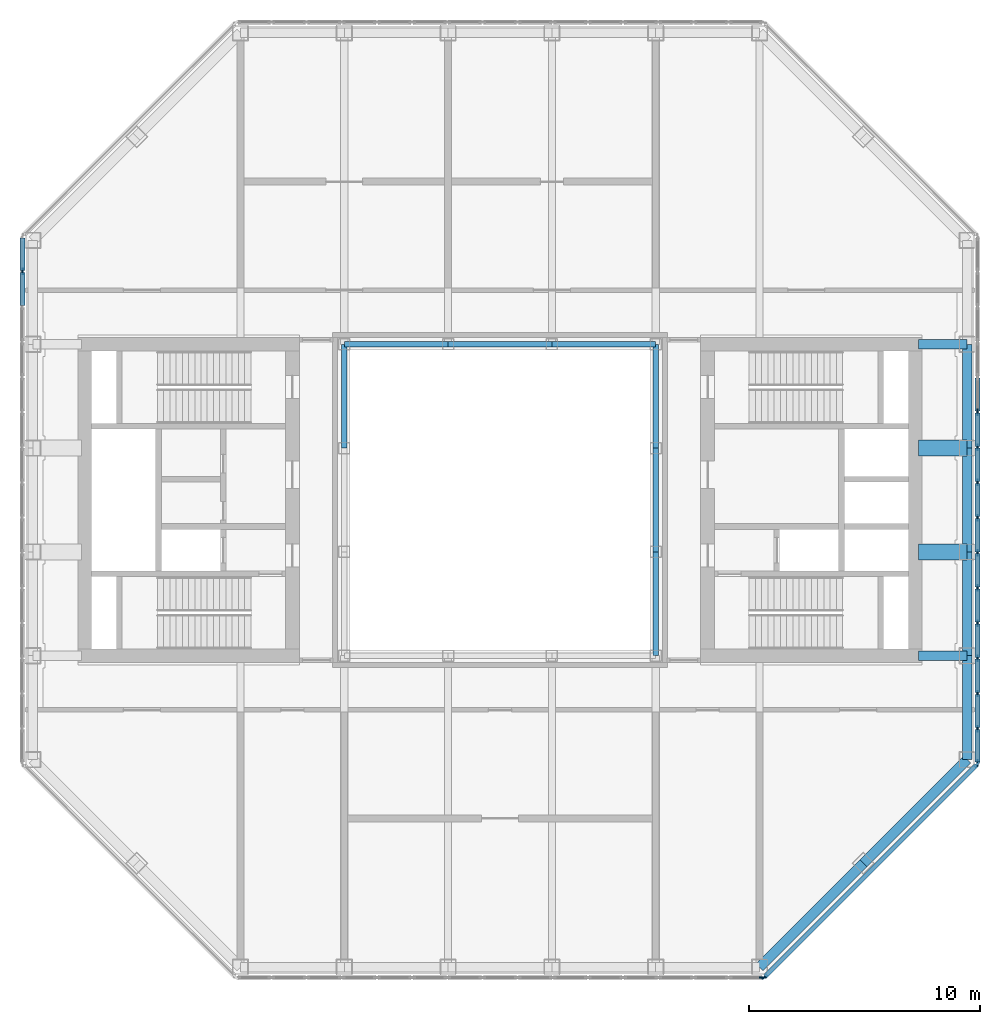
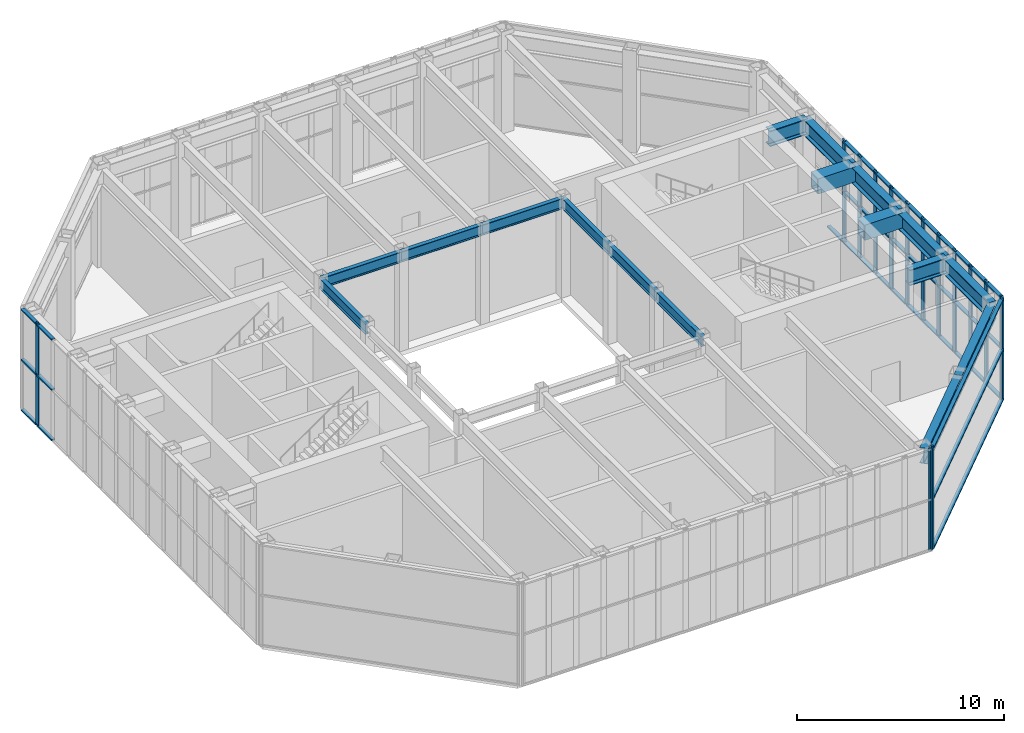
# One storey, part 4 of 12: 55 members, 17 beams, 4 elements without a shape of their own.
"""IFC4 building model written with IfcOpenShell, lengths in metres."""

from ifc_helpers import new_model, si_unit, direction, frame, origin, origin_2d, place, context, subcontext, project, spatial, rectangle, hollow_rectangle, i_section, extrude, material, material_profile, profile_set, type_object, element, aggregate, save


model = new_model("IFC4")

# Units and contexts
model_context = context("Model", 3, precision=1e-05, world=origin(), true_north=direction((0.0, 1.0)))
body_context = subcontext(model_context, "Body", "Model", "MODEL_VIEW")
ifc_project = project(units=[si_unit("LENGTHUNIT", "METRE"), si_unit("AREAUNIT", "SQUARE_METRE"), si_unit("VOLUMEUNIT", "CUBIC_METRE"), si_unit("PLANEANGLEUNIT", "RADIAN"), si_unit("MASSUNIT", "GRAM", prefix="KILO")], contexts=[model_context])

# Site, building, storey
site_placement = place(None, origin())
site = spatial("IfcSite", under=ifc_project, at=site_placement, CompositionType="ELEMENT")
building_placement = place(site_placement, origin())
building = spatial("IfcBuilding", under=site, at=building_placement, Name="Msasa Ring Tower", CompositionType="ELEMENT")
storey_placement = place(building_placement, frame((0.0, 0.0, 262.050048828125)))
storey = spatial("IfcBuildingStorey", under=building, at=storey_placement, Name="L68", CompositionType="ELEMENT", Elevation=262.050048828125)

# Curtain wall, member
ifc_material_1 = material(Name="Aluminium curtain wall with clear glass", Category="aluminium")
curtain_wall_type = type_object("IfcCurtainWallType", Name="CW-L LANTERN CURTAIN WALL", PredefinedType="NOTDEFINED", material=ifc_material_1)
curtain_wall_1_placement = place(storey_placement, origin())
curtain_wall_1 = element("IfcCurtainWall", 1, at=curtain_wall_1_placement, inside=storey, type_object=curtain_wall_type, Name="Lantern curtain wall S L68", PredefinedType="NOTDEFINED")
ifc_material_2 = material(Name="Aluminium mullion", Category="aluminium")
ifc_material_profile_1 = material_profile(ifc_material_2, rectangle(XDim=0.080078125, YDim=0.300048828125, at=origin_2d()), Name="AL 80x300")
ifc_profile_set_1 = profile_set([ifc_material_profile_1], Name="Aluminium mullion")
member_type_1 = type_object("IfcMemberType", Name="CW-L MULLION 80x300", PredefinedType="MULLION", material=ifc_profile_set_1)
member_1_placement = place(storey_placement, frame((11.396484375, -20.699951171875, 0.0), z_axis=(0.0, 0.0, 1.0), x_axis=(0.0, 1.0, 0.0)))
member_1 = element("IfcMember", 2, at=member_1_placement, type_object=member_type_1, Name="CW-L mullion 16", PredefinedType="MULLION", context=body_context, shape_type="SweptSolid", body=[
    extrude(rectangle(XDim=0.080078125, YDim=0.300048828125, at=origin_2d()), origin(), (0.0, 0.0, 1.0), 6.0),
])
aggregate(curtain_wall_1, [member_1])

# Curtain wall, members
curtain_wall_2_placement = place(storey_placement, origin())
curtain_wall_2 = element("IfcCurtainWall", 3, at=curtain_wall_2_placement, inside=storey, type_object=curtain_wall_type, Name="Lantern curtain wall SE L68", PredefinedType="NOTDEFINED")
member_2_placement = place(storey_placement, frame((11.464599609375, -20.671630859375, 0.0), z_axis=(0.0, 0.0, 1.0), x_axis=(-0.707106781187, 0.707106781187, 0.0)))
member_2 = element("IfcMember", 4, at=member_2_placement, type_object=member_type_1, Name="CW-L mullion 1", PredefinedType="MULLION", context=body_context, shape_type="SweptSolid", body=[
    extrude(rectangle(XDim=0.080078125, YDim=0.300048828125, at=origin_2d()), origin(), (0.0, 0.0, 1.0), 6.0),
])
member_3_placement = place(storey_placement, frame((20.671630859375, -11.464599609375, 0.0), z_axis=(0.0, 0.0, 1.0), x_axis=(-0.707106781187, 0.707106781187, 0.0)))
member_3 = element("IfcMember", 5, at=member_3_placement, type_object=member_type_1, Name="CW-L mullion 2", PredefinedType="MULLION", context=body_context, shape_type="SweptSolid", body=[
    extrude(rectangle(XDim=0.080078125, YDim=0.300048828125, at=origin_2d()), origin(), (0.0, 0.0, 1.0), 6.0),
])

curtain_wall_3_placement = place(storey_placement, origin())
curtain_wall_3 = element("IfcCurtainWall", 6, at=curtain_wall_3_placement, inside=storey, type_object=curtain_wall_type, Name="Lantern curtain wall E L68", PredefinedType="NOTDEFINED")
member_4_placement = place(storey_placement, frame((20.699951171875, -11.396484375, 0.0), z_axis=(0.0, 0.0, 1.0), x_axis=(-1.0, 0.0, 0.0)))
member_4 = element("IfcMember", 7, at=member_4_placement, type_object=member_type_1, Name="CW-L mullion 1", PredefinedType="MULLION", context=body_context, shape_type="SweptSolid", body=[
    extrude(rectangle(XDim=0.080078125, YDim=0.300048828125, at=origin_2d()), origin(), (0.0, 0.0, 1.0), 6.0),
])
member_5_placement = place(storey_placement, frame((20.699951171875, -9.91162109375, 0.0), z_axis=(0.0, 0.0, 1.0), x_axis=(-1.0, 0.0, 0.0)))
member_5 = element("IfcMember", 8, at=member_5_placement, type_object=member_type_1, Name="CW-L mullion 2", PredefinedType="MULLION", context=body_context, shape_type="SweptSolid", body=[
    extrude(rectangle(XDim=0.080078125, YDim=0.300048828125, at=origin_2d()), origin(), (0.0, 0.0, 1.0), 6.0),
])
member_6_placement = place(storey_placement, frame((20.699951171875, -8.38671875, 0.0), z_axis=(0.0, 0.0, 1.0), x_axis=(-1.0, 0.0, 0.0)))
member_6 = element("IfcMember", 9, at=member_6_placement, type_object=member_type_1, Name="CW-L mullion 3", PredefinedType="MULLION", context=body_context, shape_type="SweptSolid", body=[
    extrude(rectangle(XDim=0.080078125, YDim=0.300048828125, at=origin_2d()), origin(), (0.0, 0.0, 1.0), 6.0),
])
member_7_placement = place(storey_placement, frame((20.699951171875, -6.86181640625, 0.0), z_axis=(0.0, 0.0, 1.0), x_axis=(-1.0, 0.0, 0.0)))
member_7 = element("IfcMember", 10, at=member_7_placement, type_object=member_type_1, Name="CW-L mullion 4", PredefinedType="MULLION", context=body_context, shape_type="SweptSolid", body=[
    extrude(rectangle(XDim=0.080078125, YDim=0.300048828125, at=origin_2d()), origin(), (0.0, 0.0, 1.0), 6.0),
])
member_8_placement = place(storey_placement, frame((20.699951171875, -5.3369140625, 0.0), z_axis=(0.0, 0.0, 1.0), x_axis=(-1.0, 0.0, 0.0)))
member_8 = element("IfcMember", 11, at=member_8_placement, type_object=member_type_1, Name="CW-L mullion 5", PredefinedType="MULLION", context=body_context, shape_type="SweptSolid", body=[
    extrude(rectangle(XDim=0.080078125, YDim=0.300048828125, at=origin_2d()), origin(), (0.0, 0.0, 1.0), 6.0),
])
member_9_placement = place(storey_placement, frame((20.699951171875, -3.81201171875, 0.0), z_axis=(0.0, 0.0, 1.0), x_axis=(-1.0, 0.0, 0.0)))
member_9 = element("IfcMember", 12, at=member_9_placement, type_object=member_type_1, Name="CW-L mullion 6", PredefinedType="MULLION", context=body_context, shape_type="SweptSolid", body=[
    extrude(rectangle(XDim=0.080078125, YDim=0.300048828125, at=origin_2d()), origin(), (0.0, 0.0, 1.0), 6.0),
])
member_10_placement = place(storey_placement, frame((20.699951171875, -2.287353515625, 0.0), z_axis=(0.0, 0.0, 1.0), x_axis=(-1.0, 0.0, 0.0)))
member_10 = element("IfcMember", 13, at=member_10_placement, type_object=member_type_1, Name="CW-L mullion 7", PredefinedType="MULLION", context=body_context, shape_type="SweptSolid", body=[
    extrude(rectangle(XDim=0.080078125, YDim=0.300048828125, at=origin_2d()), origin(), (0.0, 0.0, 1.0), 6.0),
])
member_11_placement = place(storey_placement, frame((20.699951171875, -0.762451171875, 0.0), z_axis=(0.0, 0.0, 1.0), x_axis=(-1.0, 0.0, 0.0)))
member_11 = element("IfcMember", 14, at=member_11_placement, type_object=member_type_1, Name="CW-L mullion 8", PredefinedType="MULLION", context=body_context, shape_type="SweptSolid", body=[
    extrude(rectangle(XDim=0.080078125, YDim=0.300048828125, at=origin_2d()), origin(), (0.0, 0.0, 1.0), 6.0),
])
member_12_placement = place(storey_placement, frame((20.699951171875, 0.762451171875, 0.0), z_axis=(0.0, 0.0, 1.0), x_axis=(-1.0, 0.0, 0.0)))
member_12 = element("IfcMember", 15, at=member_12_placement, type_object=member_type_1, Name="CW-L mullion 9", PredefinedType="MULLION", context=body_context, shape_type="SweptSolid", body=[
    extrude(rectangle(XDim=0.080078125, YDim=0.300048828125, at=origin_2d()), origin(), (0.0, 0.0, 1.0), 6.0),
])
member_13_placement = place(storey_placement, frame((20.699951171875, 2.287353515625, 0.0), z_axis=(0.0, 0.0, 1.0), x_axis=(-1.0, 0.0, 0.0)))
member_13 = element("IfcMember", 16, at=member_13_placement, type_object=member_type_1, Name="CW-L mullion 10", PredefinedType="MULLION", context=body_context, shape_type="SweptSolid", body=[
    extrude(rectangle(XDim=0.080078125, YDim=0.300048828125, at=origin_2d()), origin(), (0.0, 0.0, 1.0), 6.0),
])
member_14_placement = place(storey_placement, frame((20.699951171875, 3.81201171875, 0.0), z_axis=(0.0, 0.0, 1.0), x_axis=(-1.0, 0.0, 0.0)))
member_14 = element("IfcMember", 17, at=member_14_placement, type_object=member_type_1, Name="CW-L mullion 11", PredefinedType="MULLION", context=body_context, shape_type="SweptSolid", body=[
    extrude(rectangle(XDim=0.080078125, YDim=0.300048828125, at=origin_2d()), origin(), (0.0, 0.0, 1.0), 6.0),
])

# Curtain wall, member
curtain_wall_4_placement = place(storey_placement, origin())
curtain_wall_4 = element("IfcCurtainWall", 18, at=curtain_wall_4_placement, inside=storey, type_object=curtain_wall_type, Name="Lantern curtain wall W L68", PredefinedType="NOTDEFINED")
member_15_placement = place(storey_placement, frame((-20.699951171875, 9.91162109375, 0.0), z_axis=(0.0, 0.0, 1.0), x_axis=(1.0, 0.0, 0.0)))
member_15 = element("IfcMember", 19, at=member_15_placement, type_object=member_type_1, Name="CW-L mullion 2", PredefinedType="MULLION", context=body_context, shape_type="SweptSolid", body=[
    extrude(rectangle(XDim=0.080078125, YDim=0.300048828125, at=origin_2d()), origin(), (0.0, 0.0, 1.0), 6.0),
])

# Member
ifc_material_3 = material(Name="Aluminium transom", Category="aluminium")
ifc_material_profile_2 = material_profile(ifc_material_3, rectangle(XDim=0.199951171875, YDim=0.080078125, at=origin_2d()), Name="AL 80x200")
ifc_profile_set_2 = profile_set([ifc_material_profile_2], Name="Aluminium transom")
member_type_2 = type_object("IfcMemberType", Name="CW-L TRANSOM 80x200", PredefinedType="USERDEFINED", material=ifc_profile_set_2)
member_16_placement = place(storey_placement, frame((11.492919921875, -20.643310546875, 0.0400390625), z_axis=(0.707106781187, 0.707106781187, 0.0), x_axis=(-0.707106781187, 0.707106781187, 0.0)))
member_16 = element("IfcMember", 20, at=member_16_placement, type_object=member_type_2, Name="CW-L transom 1.1", ObjectType="TRANSOM", PredefinedType="USERDEFINED", context=body_context, shape_type="SweptSolid", body=[
    extrude(rectangle(XDim=0.199951171875, YDim=0.080078125, at=origin_2d()), origin(), (0.0, 0.0, 1.0), 12.940673828125),
])

member_17_placement = place(storey_placement, frame((11.492919921875, -20.643310546875, 3.0), z_axis=(0.707106781187, 0.707106781187, 0.0), x_axis=(-0.707106781187, 0.707106781187, 0.0)))
member_17 = element("IfcMember", 21, at=member_17_placement, type_object=member_type_2, Name="CW-L transom 1.2", ObjectType="TRANSOM", PredefinedType="USERDEFINED", context=body_context, shape_type="SweptSolid", body=[
    extrude(rectangle(XDim=0.199951171875, YDim=0.080078125, at=origin_2d()), origin(), (0.0, 0.0, 1.0), 12.940673828125),
])

member_18_placement = place(storey_placement, frame((11.492919921875, -20.643310546875, 5.9599609375), z_axis=(0.707106781187, 0.707106781187, 0.0), x_axis=(-0.707106781187, 0.707106781187, 0.0)))
member_18 = element("IfcMember", 22, at=member_18_placement, type_object=member_type_2, Name="CW-L transom 1.3", ObjectType="TRANSOM", PredefinedType="USERDEFINED", context=body_context, shape_type="SweptSolid", body=[
    extrude(rectangle(XDim=0.199951171875, YDim=0.080078125, at=origin_2d()), origin(), (0.0, 0.0, 1.0), 12.940673828125),
])

aggregate(curtain_wall_2, [member_2, member_3, member_16, member_17, member_18])

member_19_placement = place(storey_placement, frame((20.699951171875, -11.3564453125, 0.0400390625), z_axis=(0.0, 1.0, 0.0), x_axis=(-1.0, 0.0, 0.0)))
member_19 = element("IfcMember", 23, at=member_19_placement, type_object=member_type_2, Name="CW-L transom 1.1", ObjectType="TRANSOM", PredefinedType="USERDEFINED", context=body_context, shape_type="SweptSolid", body=[
    extrude(rectangle(XDim=0.199951171875, YDim=0.080078125, at=origin_2d()), origin(), (0.0, 0.0, 1.0), 1.40478515625),
])

member_20_placement = place(storey_placement, frame((20.699951171875, -11.3564453125, 3.0), z_axis=(0.0, 1.0, 0.0), x_axis=(-1.0, 0.0, 0.0)))
member_20 = element("IfcMember", 24, at=member_20_placement, type_object=member_type_2, Name="CW-L transom 1.2", ObjectType="TRANSOM", PredefinedType="USERDEFINED", context=body_context, shape_type="SweptSolid", body=[
    extrude(rectangle(XDim=0.199951171875, YDim=0.080078125, at=origin_2d()), origin(), (0.0, 0.0, 1.0), 1.40478515625),
])

member_21_placement = place(storey_placement, frame((20.699951171875, -11.3564453125, 5.9599609375), z_axis=(0.0, 1.0, 0.0), x_axis=(-1.0, 0.0, 0.0)))
member_21 = element("IfcMember", 25, at=member_21_placement, type_object=member_type_2, Name="CW-L transom 1.3", ObjectType="TRANSOM", PredefinedType="USERDEFINED", context=body_context, shape_type="SweptSolid", body=[
    extrude(rectangle(XDim=0.199951171875, YDim=0.080078125, at=origin_2d()), origin(), (0.0, 0.0, 1.0), 1.40478515625),
])

member_22_placement = place(storey_placement, frame((20.699951171875, -9.87158203125, 0.0400390625), z_axis=(0.0, 1.0, 0.0), x_axis=(-1.0, 0.0, 0.0)))
member_22 = element("IfcMember", 26, at=member_22_placement, type_object=member_type_2, Name="CW-L transom 2.1", ObjectType="TRANSOM", PredefinedType="USERDEFINED", context=body_context, shape_type="SweptSolid", body=[
    extrude(rectangle(XDim=0.199951171875, YDim=0.080078125, at=origin_2d()), origin(), (0.0, 0.0, 1.0), 1.44482421875),
])

member_23_placement = place(storey_placement, frame((20.699951171875, -9.87158203125, 3.0), z_axis=(0.0, 1.0, 0.0), x_axis=(-1.0, 0.0, 0.0)))
member_23 = element("IfcMember", 27, at=member_23_placement, type_object=member_type_2, Name="CW-L transom 2.2", ObjectType="TRANSOM", PredefinedType="USERDEFINED", context=body_context, shape_type="SweptSolid", body=[
    extrude(rectangle(XDim=0.199951171875, YDim=0.080078125, at=origin_2d()), origin(), (0.0, 0.0, 1.0), 1.44482421875),
])

member_24_placement = place(storey_placement, frame((20.699951171875, -9.87158203125, 5.9599609375), z_axis=(0.0, 1.0, 0.0), x_axis=(-1.0, 0.0, 0.0)))
member_24 = element("IfcMember", 28, at=member_24_placement, type_object=member_type_2, Name="CW-L transom 2.3", ObjectType="TRANSOM", PredefinedType="USERDEFINED", context=body_context, shape_type="SweptSolid", body=[
    extrude(rectangle(XDim=0.199951171875, YDim=0.080078125, at=origin_2d()), origin(), (0.0, 0.0, 1.0), 1.44482421875),
])

member_25_placement = place(storey_placement, frame((20.699951171875, -8.3466796875, 0.0400390625), z_axis=(0.0, 1.0, 0.0), x_axis=(-1.0, 0.0, 0.0)))
member_25 = element("IfcMember", 29, at=member_25_placement, type_object=member_type_2, Name="CW-L transom 3.1", ObjectType="TRANSOM", PredefinedType="USERDEFINED", context=body_context, shape_type="SweptSolid", body=[
    extrude(rectangle(XDim=0.199951171875, YDim=0.080078125, at=origin_2d()), origin(), (0.0, 0.0, 1.0), 1.44482421875),
])

member_26_placement = place(storey_placement, frame((20.699951171875, -8.3466796875, 3.0), z_axis=(0.0, 1.0, 0.0), x_axis=(-1.0, 0.0, 0.0)))
member_26 = element("IfcMember", 30, at=member_26_placement, type_object=member_type_2, Name="CW-L transom 3.2", ObjectType="TRANSOM", PredefinedType="USERDEFINED", context=body_context, shape_type="SweptSolid", body=[
    extrude(rectangle(XDim=0.199951171875, YDim=0.080078125, at=origin_2d()), origin(), (0.0, 0.0, 1.0), 1.44482421875),
])

member_27_placement = place(storey_placement, frame((20.699951171875, -8.3466796875, 5.9599609375), z_axis=(0.0, 1.0, 0.0), x_axis=(-1.0, 0.0, 0.0)))
member_27 = element("IfcMember", 31, at=member_27_placement, type_object=member_type_2, Name="CW-L transom 3.3", ObjectType="TRANSOM", PredefinedType="USERDEFINED", context=body_context, shape_type="SweptSolid", body=[
    extrude(rectangle(XDim=0.199951171875, YDim=0.080078125, at=origin_2d()), origin(), (0.0, 0.0, 1.0), 1.44482421875),
])

member_28_placement = place(storey_placement, frame((20.699951171875, -6.82177734375, 0.0400390625), z_axis=(0.0, 1.0, 0.0), x_axis=(-1.0, 0.0, 0.0)))
member_28 = element("IfcMember", 32, at=member_28_placement, type_object=member_type_2, Name="CW-L transom 4.1", ObjectType="TRANSOM", PredefinedType="USERDEFINED", context=body_context, shape_type="SweptSolid", body=[
    extrude(rectangle(XDim=0.199951171875, YDim=0.080078125, at=origin_2d()), origin(), (0.0, 0.0, 1.0), 1.44482421875),
])

member_29_placement = place(storey_placement, frame((20.699951171875, -6.82177734375, 3.0), z_axis=(0.0, 1.0, 0.0), x_axis=(-1.0, 0.0, 0.0)))
member_29 = element("IfcMember", 33, at=member_29_placement, type_object=member_type_2, Name="CW-L transom 4.2", ObjectType="TRANSOM", PredefinedType="USERDEFINED", context=body_context, shape_type="SweptSolid", body=[
    extrude(rectangle(XDim=0.199951171875, YDim=0.080078125, at=origin_2d()), origin(), (0.0, 0.0, 1.0), 1.44482421875),
])

member_30_placement = place(storey_placement, frame((20.699951171875, -6.82177734375, 5.9599609375), z_axis=(0.0, 1.0, 0.0), x_axis=(-1.0, 0.0, 0.0)))
member_30 = element("IfcMember", 34, at=member_30_placement, type_object=member_type_2, Name="CW-L transom 4.3", ObjectType="TRANSOM", PredefinedType="USERDEFINED", context=body_context, shape_type="SweptSolid", body=[
    extrude(rectangle(XDim=0.199951171875, YDim=0.080078125, at=origin_2d()), origin(), (0.0, 0.0, 1.0), 1.44482421875),
])

member_31_placement = place(storey_placement, frame((20.699951171875, -5.296875, 0.0400390625), z_axis=(0.0, 1.0, 0.0), x_axis=(-1.0, 0.0, 0.0)))
member_31 = element("IfcMember", 35, at=member_31_placement, type_object=member_type_2, Name="CW-L transom 5.1", ObjectType="TRANSOM", PredefinedType="USERDEFINED", context=body_context, shape_type="SweptSolid", body=[
    extrude(rectangle(XDim=0.199951171875, YDim=0.080078125, at=origin_2d()), origin(), (0.0, 0.0, 1.0), 1.44482421875),
])

member_32_placement = place(storey_placement, frame((20.699951171875, -5.296875, 3.0), z_axis=(0.0, 1.0, 0.0), x_axis=(-1.0, 0.0, 0.0)))
member_32 = element("IfcMember", 36, at=member_32_placement, type_object=member_type_2, Name="CW-L transom 5.2", ObjectType="TRANSOM", PredefinedType="USERDEFINED", context=body_context, shape_type="SweptSolid", body=[
    extrude(rectangle(XDim=0.199951171875, YDim=0.080078125, at=origin_2d()), origin(), (0.0, 0.0, 1.0), 1.44482421875),
])

member_33_placement = place(storey_placement, frame((20.699951171875, -5.296875, 5.9599609375), z_axis=(0.0, 1.0, 0.0), x_axis=(-1.0, 0.0, 0.0)))
member_33 = element("IfcMember", 37, at=member_33_placement, type_object=member_type_2, Name="CW-L transom 5.3", ObjectType="TRANSOM", PredefinedType="USERDEFINED", context=body_context, shape_type="SweptSolid", body=[
    extrude(rectangle(XDim=0.199951171875, YDim=0.080078125, at=origin_2d()), origin(), (0.0, 0.0, 1.0), 1.44482421875),
])

member_34_placement = place(storey_placement, frame((20.699951171875, -3.772216796875, 0.0400390625), z_axis=(0.0, 1.0, 0.0), x_axis=(-1.0, 0.0, 0.0)))
member_34 = element("IfcMember", 38, at=member_34_placement, type_object=member_type_2, Name="CW-L transom 6.1", ObjectType="TRANSOM", PredefinedType="USERDEFINED", context=body_context, shape_type="SweptSolid", body=[
    extrude(rectangle(XDim=0.199951171875, YDim=0.080078125, at=origin_2d()), origin(), (0.0, 0.0, 1.0), 1.44482421875),
])

member_35_placement = place(storey_placement, frame((20.699951171875, -3.772216796875, 3.0), z_axis=(0.0, 1.0, 0.0), x_axis=(-1.0, 0.0, 0.0)))
member_35 = element("IfcMember", 39, at=member_35_placement, type_object=member_type_2, Name="CW-L transom 6.2", ObjectType="TRANSOM", PredefinedType="USERDEFINED", context=body_context, shape_type="SweptSolid", body=[
    extrude(rectangle(XDim=0.199951171875, YDim=0.080078125, at=origin_2d()), origin(), (0.0, 0.0, 1.0), 1.44482421875),
])

member_36_placement = place(storey_placement, frame((20.699951171875, -3.772216796875, 5.9599609375), z_axis=(0.0, 1.0, 0.0), x_axis=(-1.0, 0.0, 0.0)))
member_36 = element("IfcMember", 40, at=member_36_placement, type_object=member_type_2, Name="CW-L transom 6.3", ObjectType="TRANSOM", PredefinedType="USERDEFINED", context=body_context, shape_type="SweptSolid", body=[
    extrude(rectangle(XDim=0.199951171875, YDim=0.080078125, at=origin_2d()), origin(), (0.0, 0.0, 1.0), 1.44482421875),
])

member_37_placement = place(storey_placement, frame((20.699951171875, -2.247314453125, 0.0400390625), z_axis=(0.0, 1.0, 0.0), x_axis=(-1.0, 0.0, 0.0)))
member_37 = element("IfcMember", 41, at=member_37_placement, type_object=member_type_2, Name="CW-L transom 7.1", ObjectType="TRANSOM", PredefinedType="USERDEFINED", context=body_context, shape_type="SweptSolid", body=[
    extrude(rectangle(XDim=0.199951171875, YDim=0.080078125, at=origin_2d()), origin(), (0.0, 0.0, 1.0), 1.44482421875),
])

member_38_placement = place(storey_placement, frame((20.699951171875, -2.247314453125, 3.0), z_axis=(0.0, 1.0, 0.0), x_axis=(-1.0, 0.0, 0.0)))
member_38 = element("IfcMember", 42, at=member_38_placement, type_object=member_type_2, Name="CW-L transom 7.2", ObjectType="TRANSOM", PredefinedType="USERDEFINED", context=body_context, shape_type="SweptSolid", body=[
    extrude(rectangle(XDim=0.199951171875, YDim=0.080078125, at=origin_2d()), origin(), (0.0, 0.0, 1.0), 1.44482421875),
])

member_39_placement = place(storey_placement, frame((20.699951171875, -2.247314453125, 5.9599609375), z_axis=(0.0, 1.0, 0.0), x_axis=(-1.0, 0.0, 0.0)))
member_39 = element("IfcMember", 43, at=member_39_placement, type_object=member_type_2, Name="CW-L transom 7.3", ObjectType="TRANSOM", PredefinedType="USERDEFINED", context=body_context, shape_type="SweptSolid", body=[
    extrude(rectangle(XDim=0.199951171875, YDim=0.080078125, at=origin_2d()), origin(), (0.0, 0.0, 1.0), 1.44482421875),
])

member_40_placement = place(storey_placement, frame((20.699951171875, -0.722412109375, 0.0400390625), z_axis=(0.0, 1.0, 0.0), x_axis=(-1.0, 0.0, 0.0)))
member_40 = element("IfcMember", 44, at=member_40_placement, type_object=member_type_2, Name="CW-L transom 8.1", ObjectType="TRANSOM", PredefinedType="USERDEFINED", context=body_context, shape_type="SweptSolid", body=[
    extrude(rectangle(XDim=0.199951171875, YDim=0.080078125, at=origin_2d()), origin(), (0.0, 0.0, 1.0), 1.44482421875),
])

member_41_placement = place(storey_placement, frame((20.699951171875, -0.722412109375, 3.0), z_axis=(0.0, 1.0, 0.0), x_axis=(-1.0, 0.0, 0.0)))
member_41 = element("IfcMember", 45, at=member_41_placement, type_object=member_type_2, Name="CW-L transom 8.2", ObjectType="TRANSOM", PredefinedType="USERDEFINED", context=body_context, shape_type="SweptSolid", body=[
    extrude(rectangle(XDim=0.199951171875, YDim=0.080078125, at=origin_2d()), origin(), (0.0, 0.0, 1.0), 1.44482421875),
])

member_42_placement = place(storey_placement, frame((20.699951171875, -0.722412109375, 5.9599609375), z_axis=(0.0, 1.0, 0.0), x_axis=(-1.0, 0.0, 0.0)))
member_42 = element("IfcMember", 46, at=member_42_placement, type_object=member_type_2, Name="CW-L transom 8.3", ObjectType="TRANSOM", PredefinedType="USERDEFINED", context=body_context, shape_type="SweptSolid", body=[
    extrude(rectangle(XDim=0.199951171875, YDim=0.080078125, at=origin_2d()), origin(), (0.0, 0.0, 1.0), 1.44482421875),
])

member_43_placement = place(storey_placement, frame((20.699951171875, 0.802490234375, 0.0400390625), z_axis=(0.0, 1.0, 0.0), x_axis=(-1.0, 0.0, 0.0)))
member_43 = element("IfcMember", 47, at=member_43_placement, type_object=member_type_2, Name="CW-L transom 9.1", ObjectType="TRANSOM", PredefinedType="USERDEFINED", context=body_context, shape_type="SweptSolid", body=[
    extrude(rectangle(XDim=0.199951171875, YDim=0.080078125, at=origin_2d()), origin(), (0.0, 0.0, 1.0), 1.44482421875),
])

member_44_placement = place(storey_placement, frame((20.699951171875, 0.802490234375, 3.0), z_axis=(0.0, 1.0, 0.0), x_axis=(-1.0, 0.0, 0.0)))
member_44 = element("IfcMember", 48, at=member_44_placement, type_object=member_type_2, Name="CW-L transom 9.2", ObjectType="TRANSOM", PredefinedType="USERDEFINED", context=body_context, shape_type="SweptSolid", body=[
    extrude(rectangle(XDim=0.199951171875, YDim=0.080078125, at=origin_2d()), origin(), (0.0, 0.0, 1.0), 1.44482421875),
])

member_45_placement = place(storey_placement, frame((20.699951171875, 0.802490234375, 5.9599609375), z_axis=(0.0, 1.0, 0.0), x_axis=(-1.0, 0.0, 0.0)))
member_45 = element("IfcMember", 49, at=member_45_placement, type_object=member_type_2, Name="CW-L transom 9.3", ObjectType="TRANSOM", PredefinedType="USERDEFINED", context=body_context, shape_type="SweptSolid", body=[
    extrude(rectangle(XDim=0.199951171875, YDim=0.080078125, at=origin_2d()), origin(), (0.0, 0.0, 1.0), 1.44482421875),
])

member_46_placement = place(storey_placement, frame((20.699951171875, 2.327392578125, 0.0400390625), z_axis=(0.0, 1.0, 0.0), x_axis=(-1.0, 0.0, 0.0)))
member_46 = element("IfcMember", 50, at=member_46_placement, type_object=member_type_2, Name="CW-L transom 10.1", ObjectType="TRANSOM", PredefinedType="USERDEFINED", context=body_context, shape_type="SweptSolid", body=[
    extrude(rectangle(XDim=0.199951171875, YDim=0.080078125, at=origin_2d()), origin(), (0.0, 0.0, 1.0), 1.44482421875),
])

member_47_placement = place(storey_placement, frame((20.699951171875, 2.327392578125, 3.0), z_axis=(0.0, 1.0, 0.0), x_axis=(-1.0, 0.0, 0.0)))
member_47 = element("IfcMember", 51, at=member_47_placement, type_object=member_type_2, Name="CW-L transom 10.2", ObjectType="TRANSOM", PredefinedType="USERDEFINED", context=body_context, shape_type="SweptSolid", body=[
    extrude(rectangle(XDim=0.199951171875, YDim=0.080078125, at=origin_2d()), origin(), (0.0, 0.0, 1.0), 1.44482421875),
])

member_48_placement = place(storey_placement, frame((20.699951171875, 2.327392578125, 5.9599609375), z_axis=(0.0, 1.0, 0.0), x_axis=(-1.0, 0.0, 0.0)))
member_48 = element("IfcMember", 52, at=member_48_placement, type_object=member_type_2, Name="CW-L transom 10.3", ObjectType="TRANSOM", PredefinedType="USERDEFINED", context=body_context, shape_type="SweptSolid", body=[
    extrude(rectangle(XDim=0.199951171875, YDim=0.080078125, at=origin_2d()), origin(), (0.0, 0.0, 1.0), 1.44482421875),
])

member_49_placement = place(storey_placement, frame((20.699951171875, 3.85205078125, 0.0400390625), z_axis=(0.0, 1.0, 0.0), x_axis=(-1.0, 0.0, 0.0)))
member_49 = element("IfcMember", 53, at=member_49_placement, type_object=member_type_2, Name="CW-L transom 11.1", ObjectType="TRANSOM", PredefinedType="USERDEFINED", context=body_context, shape_type="SweptSolid", body=[
    extrude(rectangle(XDim=0.199951171875, YDim=0.080078125, at=origin_2d()), origin(), (0.0, 0.0, 1.0), 1.44482421875),
])

aggregate(curtain_wall_3, [member_4, member_5, member_6, member_7, member_8, member_9, member_10, member_11, member_12, member_13, member_14, member_19, member_20, member_21, member_22, member_23, member_24, member_25, member_26, member_27, member_28, member_29, member_30, member_31, member_32, member_33, member_34, member_35, member_36, member_37, member_38, member_39, member_40, member_41, member_42, member_43, member_44, member_45, member_46, member_47, member_48, member_49])

member_50_placement = place(storey_placement, frame((-20.699951171875, 11.3564453125, 0.0400390625), z_axis=(0.0, -1.0, 0.0), x_axis=(1.0, 0.0, 0.0)))
member_50 = element("IfcMember", 54, at=member_50_placement, type_object=member_type_2, Name="CW-L transom 1.1", ObjectType="TRANSOM", PredefinedType="USERDEFINED", context=body_context, shape_type="SweptSolid", body=[
    extrude(rectangle(XDim=0.199951171875, YDim=0.080078125, at=origin_2d()), origin(), (0.0, 0.0, 1.0), 1.40478515625),
])

member_51_placement = place(storey_placement, frame((-20.699951171875, 11.3564453125, 3.0), z_axis=(0.0, -1.0, 0.0), x_axis=(1.0, 0.0, 0.0)))
member_51 = element("IfcMember", 55, at=member_51_placement, type_object=member_type_2, Name="CW-L transom 1.2", ObjectType="TRANSOM", PredefinedType="USERDEFINED", context=body_context, shape_type="SweptSolid", body=[
    extrude(rectangle(XDim=0.199951171875, YDim=0.080078125, at=origin_2d()), origin(), (0.0, 0.0, 1.0), 1.40478515625),
])

member_52_placement = place(storey_placement, frame((-20.699951171875, 11.3564453125, 5.9599609375), z_axis=(0.0, -1.0, 0.0), x_axis=(1.0, 0.0, 0.0)))
member_52 = element("IfcMember", 56, at=member_52_placement, type_object=member_type_2, Name="CW-L transom 1.3", ObjectType="TRANSOM", PredefinedType="USERDEFINED", context=body_context, shape_type="SweptSolid", body=[
    extrude(rectangle(XDim=0.199951171875, YDim=0.080078125, at=origin_2d()), origin(), (0.0, 0.0, 1.0), 1.40478515625),
])

member_53_placement = place(storey_placement, frame((-20.699951171875, 9.87158203125, 0.0400390625), z_axis=(0.0, -1.0, 0.0), x_axis=(1.0, 0.0, 0.0)))
member_53 = element("IfcMember", 57, at=member_53_placement, type_object=member_type_2, Name="CW-L transom 2.1", ObjectType="TRANSOM", PredefinedType="USERDEFINED", context=body_context, shape_type="SweptSolid", body=[
    extrude(rectangle(XDim=0.199951171875, YDim=0.080078125, at=origin_2d()), origin(), (0.0, 0.0, 1.0), 1.44482421875),
])

member_54_placement = place(storey_placement, frame((-20.699951171875, 9.87158203125, 3.0), z_axis=(0.0, -1.0, 0.0), x_axis=(1.0, 0.0, 0.0)))
member_54 = element("IfcMember", 58, at=member_54_placement, type_object=member_type_2, Name="CW-L transom 2.2", ObjectType="TRANSOM", PredefinedType="USERDEFINED", context=body_context, shape_type="SweptSolid", body=[
    extrude(rectangle(XDim=0.199951171875, YDim=0.080078125, at=origin_2d()), origin(), (0.0, 0.0, 1.0), 1.44482421875),
])

member_55_placement = place(storey_placement, frame((-20.699951171875, 9.87158203125, 5.9599609375), z_axis=(0.0, -1.0, 0.0), x_axis=(1.0, 0.0, 0.0)))
member_55 = element("IfcMember", 59, at=member_55_placement, type_object=member_type_2, Name="CW-L transom 2.3", ObjectType="TRANSOM", PredefinedType="USERDEFINED", context=body_context, shape_type="SweptSolid", body=[
    extrude(rectangle(XDim=0.199951171875, YDim=0.080078125, at=origin_2d()), origin(), (0.0, 0.0, 1.0), 1.44482421875),
])

aggregate(curtain_wall_4, [member_15, member_50, member_51, member_52, member_53, member_54, member_55])

# Beams
ifc_material_4 = material(Name="Steel S355", Category="steel")
ifc_material_profile_3 = material_profile(ifc_material_4, hollow_rectangle(XDim=0.699951171875, YDim=0.89990234375, WallThickness=0.080078125, at=origin_2d()), Name="BOX 900x700x80")
ifc_profile_set_3 = profile_set([ifc_material_profile_3], Name="Steel S355")
beam_type_1 = type_object("IfcBeamType", Name="FB4 BOX 900x700x80", PredefinedType="BEAM", material=ifc_profile_set_3)
for number, where, z_axis, x_axis, name in (
    (60, (20.25, -2.25, 5.300048828125), (-1.0, 0.0, 0.0), (0.0, -1.0, 0.0), "Floor beam E -2.25 under L69"),
    (61, (20.25, 2.25, 5.300048828125), (-1.0, 0.0, 0.0), (0.0, -1.0, 0.0), "Floor beam E +2.25 under L69"),
):
    element("IfcBeam", number, at=place(storey_placement, frame(where, z_axis=z_axis, x_axis=x_axis)), inside=storey, type_object=beam_type_1, Name=name, PredefinedType="BEAM", context=body_context, shape_type="SweptSolid", body=[
        extrude(hollow_rectangle(XDim=0.699951171875, YDim=0.89990234375, WallThickness=0.080078125, at=origin_2d()), origin(), (0.0, 0.0, 1.0), 2.10009765625),
    ])
ifc_material_5 = material(Name="Steel S355", Category="steel")
ifc_material_profile_4 = material_profile(ifc_material_5, i_section(OverallWidth=0.42041015625, OverallDepth=0.9208984375, WebThickness=0.021484375, FlangeThickness=0.03662109375, FilletRadius=0.024169921875, at=origin_2d()), Name="UB 914x419x388")
ifc_profile_set_4 = profile_set([ifc_material_profile_4], Name="Steel S355")
beam_type_2 = type_object("IfcBeamType", Name="GB1 UB 914x419x388", PredefinedType="BEAM", material=ifc_profile_set_4)
for number, where, z_axis, x_axis, name in (
    (62, (18.14990234375, 6.75, 5.28955078125), (1.0, 0.0, 0.0), (0.0, 1.0, 0.0), "Girder E +6.75 under L69"),
    (63, (18.14990234375, -6.75, 5.28955078125), (1.0, 0.0, 0.0), (0.0, 1.0, 0.0), "Girder E -6.75 under L69"),
):
    element("IfcBeam", number, at=place(storey_placement, frame(where, z_axis=z_axis, x_axis=x_axis)), inside=storey, type_object=beam_type_2, Name=name, PredefinedType="BEAM", context=body_context, shape_type="SweptSolid", body=[
        extrude(i_section(OverallWidth=0.42041015625, OverallDepth=0.9208984375, WebThickness=0.021484375, FlangeThickness=0.03662109375, FilletRadius=0.024169921875, at=origin_2d()), origin(), (0.0, 0.0, 1.0), 2.10009765625),
    ])
ifc_material_6 = material(Name="Steel S355", Category="steel")
ifc_material_profile_5 = material_profile(ifc_material_6, i_section(OverallWidth=0.230224609375, OverallDepth=0.6171875, WebThickness=0.01318359375, FlangeThickness=0.022216796875, FilletRadius=0.0126953125, at=origin_2d()), Name="UB 610x229x140")
ifc_profile_set_5 = profile_set([ifc_material_profile_5], Name="Steel S355")
beam_type_3 = type_object("IfcBeamType", Name="RB1 UB 610x229x140", PredefinedType="BEAM", material=ifc_profile_set_5)
for number, where, z_axis, x_axis, name in (
    (64, (6.75, -6.75, 5.44140625), (0.0, 1.0, 0.0), (-1.0, 0.0, 0.0), "Inner ring beam IR+6.75-6.75 under L69"),
    (65, (6.75, -2.25, 5.44140625), (0.0, 1.0, 0.0), (-1.0, 0.0, 0.0), "Inner ring beam IR+6.75-2.25 under L69"),
    (66, (6.75, 2.25, 5.44140625), (0.0, 1.0, 0.0), (-1.0, 0.0, 0.0), "Inner ring beam IR+6.75+2.25 under L69"),
    (67, (6.75, 6.75, 5.44140625), (-1.0, 0.0, 0.0), (0.0, -1.0, 0.0), "Inner ring beam IR+6.75+6.75 under L69"),
    (68, (2.25, 6.75, 5.44140625), (-1.0, 0.0, 0.0), (0.0, -1.0, 0.0), "Inner ring beam IR+2.25+6.75 under L69"),
    (69, (-2.25, 6.75, 5.44140625), (-1.0, 0.0, 0.0), (0.0, -1.0, 0.0), "Inner ring beam IR-2.25+6.75 under L69"),
    (70, (-6.75, 6.75, 5.44140625), (0.0, -1.0, 0.0), (1.0, 0.0, 0.0), "Inner ring beam IR-6.75+6.75 under L69"),
):
    element("IfcBeam", number, at=place(storey_placement, frame(where, z_axis=z_axis, x_axis=x_axis)), inside=storey, type_object=beam_type_3, Name=name, PredefinedType="BEAM", context=body_context, shape_type="SweptSolid", body=[
        extrude(i_section(OverallWidth=0.230224609375, OverallDepth=0.6171875, WebThickness=0.01318359375, FlangeThickness=0.022216796875, FilletRadius=0.0126953125, at=origin_2d()), origin(), (0.0, 0.0, 1.0), 4.5),
    ])
ifc_material_7 = material(Name="Steel S355", Category="steel")
ifc_material_profile_6 = material_profile(ifc_material_7, i_section(OverallWidth=0.42041015625, OverallDepth=0.9208984375, WebThickness=0.021484375, FlangeThickness=0.03662109375, FilletRadius=0.024169921875, at=origin_2d()), Name="UB 914x419x388")
ifc_profile_set_6 = profile_set([ifc_material_profile_6], Name="Steel S355")
beam_type_4 = type_object("IfcBeamType", Name="SB1 UB 914x419x388", PredefinedType="SPANDREL", material=ifc_profile_set_6)
for number, where, z_axis, x_axis, name in (
    (71, (11.25, -20.25, 5.28955078125), (0.707106781187, 0.707106781187, 0.0), (-0.707106781187, 0.707106781187, 0.0), "Spandrel S+11.25 to SE under L69"),
    (72, (15.75, -15.75, 5.28955078125), (0.707106781187, 0.707106781187, 0.0), (-0.707106781187, 0.707106781187, 0.0), "Spandrel SE to E-11.25 under L69"),
):
    element("IfcBeam", number, at=place(storey_placement, frame(where, z_axis=z_axis, x_axis=x_axis)), inside=storey, type_object=beam_type_4, Name=name, PredefinedType="SPANDREL", context=body_context, shape_type="SweptSolid", body=[
        extrude(i_section(OverallWidth=0.42041015625, OverallDepth=0.9208984375, WebThickness=0.021484375, FlangeThickness=0.03662109375, FilletRadius=0.024169921875, at=origin_2d()), origin(), (0.0, 0.0, 1.0), 6.364013671875),
    ])
for number, where, z_axis, x_axis, name in (
    (73, (20.25, -11.25, 5.28955078125), (0.0, 1.0, 0.0), (-1.0, 0.0, 0.0), "Spandrel E-11.25 to E-6.75 under L69"),
    (74, (20.25, -6.75, 5.28955078125), (0.0, 1.0, 0.0), (-1.0, 0.0, 0.0), "Spandrel E-6.75 to E-2.25 under L69"),
    (75, (20.25, -2.25, 5.28955078125), (0.0, 1.0, 0.0), (-1.0, 0.0, 0.0), "Spandrel E-2.25 to E+2.25 under L69"),
    (76, (20.25, 2.25, 5.28955078125), (0.0, 1.0, 0.0), (-1.0, 0.0, 0.0), "Spandrel E+2.25 to E+6.75 under L69"),
):
    element("IfcBeam", number, at=place(storey_placement, frame(where, z_axis=z_axis, x_axis=x_axis)), inside=storey, type_object=beam_type_4, Name=name, PredefinedType="SPANDREL", context=body_context, shape_type="SweptSolid", body=[
        extrude(i_section(OverallWidth=0.42041015625, OverallDepth=0.9208984375, WebThickness=0.021484375, FlangeThickness=0.03662109375, FilletRadius=0.024169921875, at=origin_2d()), origin(), (0.0, 0.0, 1.0), 4.5),
    ])

save(model, "model.ifc")
